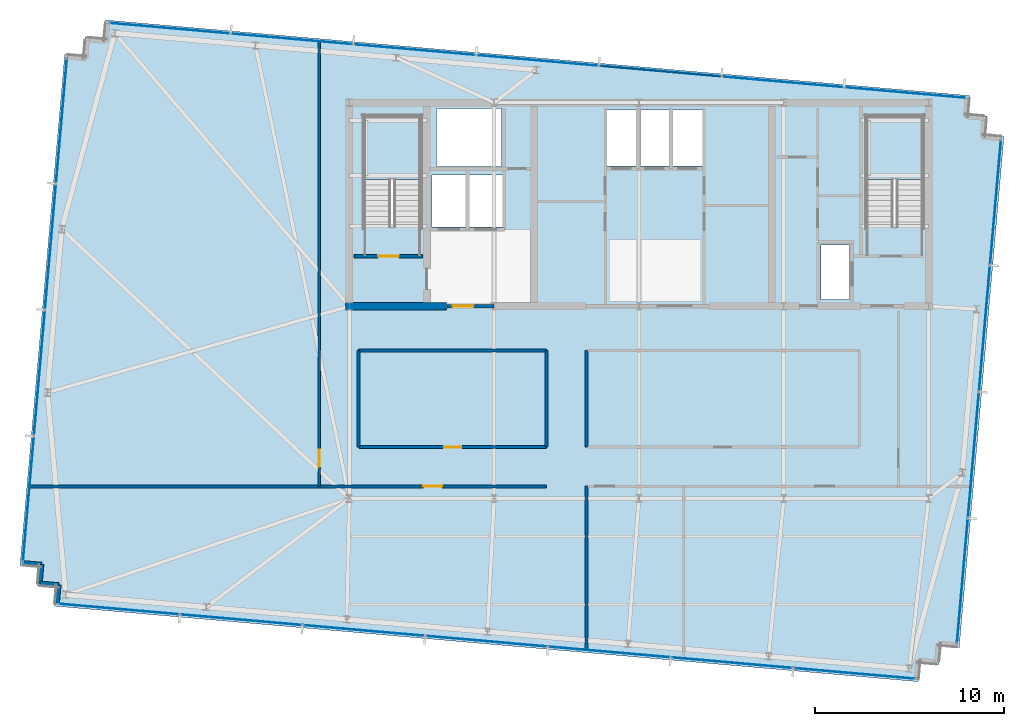
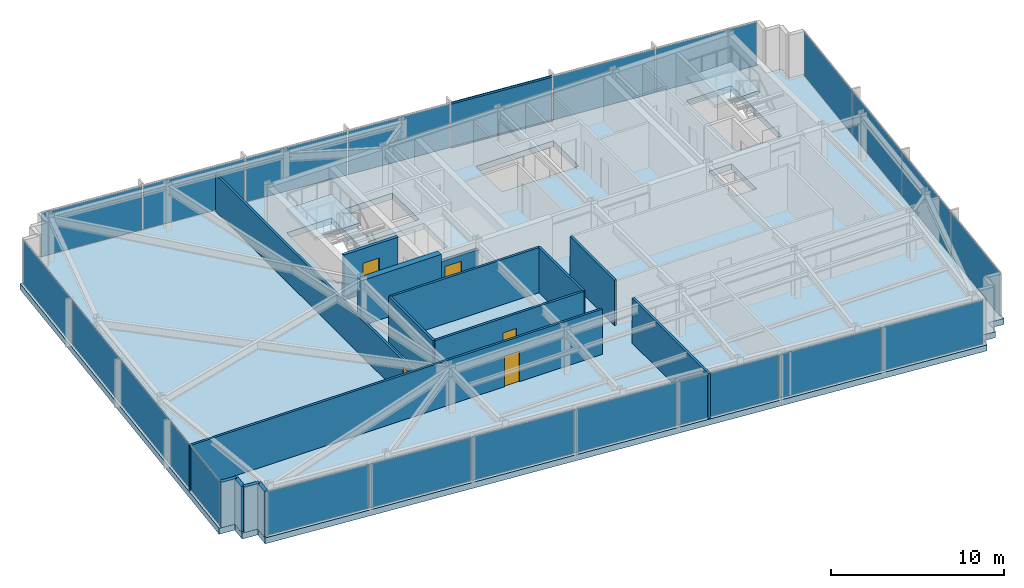
# One storey, part 26 of 32: 22 plates, 15 walls, 5 doors, 3 slabs, 2 members, 5 openings, 6 elements without a shape of their own.
"""IFC4 building model written with IfcOpenShell, lengths in metres."""

from ifc_helpers import new_model, si_unit, direction, frame, frame_2d, origin, origin_2d, place, context, subcontext, project, spatial, polyline, rectangle, hollow_rectangle, outline, extrude, material, layer, layer_set, material_profile, profile_set, type_object, element, fill, aggregate, save


model = new_model("IFC4")

# Units and contexts
model_context = context("Model", 3, precision=1e-05, world=origin(), true_north=direction((0.0, 1.0)))
body_context = subcontext(model_context, "Body", "Model", "MODEL_VIEW")
ifc_project = project(units=[si_unit("LENGTHUNIT", "METRE"), si_unit("AREAUNIT", "SQUARE_METRE"), si_unit("VOLUMEUNIT", "CUBIC_METRE"), si_unit("PLANEANGLEUNIT", "RADIAN"), si_unit("MASSUNIT", "GRAM", prefix="KILO")], contexts=[model_context])

# Site, building, storey
site_placement = place(None, origin())
site = spatial("IfcSite", under=ifc_project, at=site_placement, CompositionType="ELEMENT")
building_placement = place(site_placement, origin())
building = spatial("IfcBuilding", under=site, at=building_placement, Name="Yelkora Congress Tower", CompositionType="ELEMENT")
storey_placement = place(building_placement, frame((0.0, 0.0, 259.10009765625)))
storey = spatial("IfcBuildingStorey", under=building, at=storey_placement, Name="L72", CompositionType="ELEMENT", Elevation=259.10009765625)

# Curtain wall, members
ifc_material_1 = material(Name="Anodised aluminium and insulated glass", Category="aluminium")
curtain_wall_type = type_object("IfcCurtainWallType", Name="CW-SYS-B5", PredefinedType="NOTDEFINED", material=ifc_material_1)
curtain_wall_1_placement = place(storey_placement, origin())
curtain_wall_1 = element("IfcCurtainWall", 1, at=curtain_wall_1_placement, inside=storey, type_object=curtain_wall_type, Name="L72 Unitised Curtain Wall 10", PredefinedType="NOTDEFINED")
ifc_material_2 = material(Name="Anodised aluminium 6063-T6", Category="aluminium")
ifc_material_profile = material_profile(ifc_material_2, hollow_rectangle(XDim=0.06005859375, YDim=0.1298828125, WallThickness=0.00390625, at=origin_2d()), Name="ALU 60x130x4")
ifc_profile_set = profile_set([ifc_material_profile], Name="Anodised aluminium 6063-T6")
member_type = type_object("IfcMemberType", Name="MEM-TR-B5", PredefinedType="USERDEFINED", material=ifc_profile_set)
member_1_placement = place(storey_placement, frame((36.298583984375, 48.14794921875, 0.02978515625), z_axis=(0.996192979814, -0.08717538052, 0.0), x_axis=(0.08717538052, 0.996192979814, 0.0)))
member_1 = element("IfcMember", 2, at=member_1_placement, type_object=member_type, Name="CW-B5 transom 5.1", ObjectType="TRANSOM", PredefinedType="USERDEFINED", context=body_context, shape_type="SweptSolid", body=[
    extrude(hollow_rectangle(XDim=0.06005859375, YDim=0.1298828125, WallThickness=0.00390625, at=origin_2d()), origin(), (0.0, 0.0, 1.0), 6.466552734375),
])
member_2_placement = place(storey_placement, frame((36.298583984375, 48.14794921875, 3.14990234375), z_axis=(0.996192979814, -0.08717538052, 0.0), x_axis=(0.08717538052, 0.996192979814, 0.0)))
member_2 = element("IfcMember", 3, at=member_2_placement, type_object=member_type, Name="CW-B5 transom 5.2", ObjectType="TRANSOM", PredefinedType="USERDEFINED", context=body_context, shape_type="SweptSolid", body=[
    extrude(hollow_rectangle(XDim=0.06005859375, YDim=0.1298828125, WallThickness=0.00390625, at=origin_2d()), origin(), (0.0, 0.0, 1.0), 6.466552734375),
])

# Curtain wall, plates
curtain_wall_2_placement = place(storey_placement, origin())
curtain_wall_2 = element("IfcCurtainWall", 4, at=curtain_wall_2_placement, inside=storey, type_object=curtain_wall_type, Name="L72 Unitised Curtain Wall 5", PredefinedType="NOTDEFINED")
ifc_material_3 = material(Name="High-altitude triple glazed unit B5", Category="glass")
ifc_layer_1 = layer(ifc_material_3, 0.033935546875)
ifc_layer_set_1 = layer_set([ifc_layer_1], Name="High-altitude triple glazed unit B5")
plate_type = type_object("IfcPlateType", Name="PLT-PN-B5", PredefinedType="CURTAIN_PANEL", material=ifc_layer_set_1)
plate_1_placement = place(storey_placement, frame((6.021728515625, 25.16064453125, 0.059814453125), z_axis=(0.0, 0.0, 1.0), x_axis=(0.08715473876, 0.996194785929, 0.0)))
plate_1 = element("IfcPlate", 5, at=plate_1_placement, type_object=plate_type, Name="CW-B5 panel 1.1", PredefinedType="CURTAIN_PANEL", context=body_context, shape_type="SweptSolid", body=[
    extrude(rectangle(XDim=6.632568359375, YDim=0.033935546875, at=origin_2d()), origin(), (0.0, 0.0, 1.0), 3.06005859375),
])
plate_2_placement = place(storey_placement, frame((6.60693359375, 31.848876953125, 0.059814453125), z_axis=(0.0, 0.0, 1.0), x_axis=(0.08715473876, 0.996194785929, 0.0)))
plate_2 = element("IfcPlate", 6, at=plate_2_placement, type_object=plate_type, Name="CW-B5 panel 2.1", PredefinedType="CURTAIN_PANEL", context=body_context, shape_type="SweptSolid", body=[
    extrude(rectangle(XDim=6.6650390625, YDim=0.033935546875, at=origin_2d()), origin(), (0.0, 0.0, 1.0), 3.06005859375),
])
plate_3_placement = place(storey_placement, frame((7.193359375, 38.55322265625, 0.059814453125), z_axis=(0.0, 0.0, 1.0), x_axis=(0.08715473876, 0.996194785929, 0.0)))
plate_3 = element("IfcPlate", 7, at=plate_3_placement, type_object=plate_type, Name="CW-B5 panel 3.1", PredefinedType="CURTAIN_PANEL", context=body_context, shape_type="SweptSolid", body=[
    extrude(rectangle(XDim=6.6650390625, YDim=0.033935546875, at=origin_2d()), origin(), (0.0, 0.0, 1.0), 3.06005859375),
])
plate_4_placement = place(storey_placement, frame((7.778564453125, 45.2412109375, 0.059814453125), z_axis=(0.0, 0.0, 1.0), x_axis=(0.08715473876, 0.996194785929, 0.0)))
plate_4 = element("IfcPlate", 8, at=plate_4_placement, type_object=plate_type, Name="CW-B5 panel 4.1", PredefinedType="CURTAIN_PANEL", context=body_context, shape_type="SweptSolid", body=[
    extrude(rectangle(XDim=6.632568359375, YDim=0.033935546875, at=origin_2d()), origin(), (0.0, 0.0, 1.0), 3.06005859375),
])
aggregate(curtain_wall_2, [plate_1, plate_2, plate_3, plate_4])

# Plate
plate_5_placement = place(storey_placement, frame((13.509521484375, 50.141845703125, 0.059814453125), z_axis=(0.0, 0.0, 1.0), x_axis=(0.996194619601, -0.087156639893, 0.0)))
plate_5 = element("IfcPlate", 9, at=plate_5_placement, type_object=plate_type, Name="CW-B5 panel 1.1", PredefinedType="CURTAIN_PANEL", context=body_context, shape_type="SweptSolid", body=[
    extrude(rectangle(XDim=6.433837890625, YDim=0.033935546875, at=origin_2d()), origin(), (0.0, 0.0, 1.0), 3.06005859375),
])

plate_6_placement = place(storey_placement, frame((19.999755859375, 49.573974609375, 0.059814453125), z_axis=(0.0, 0.0, 1.0), x_axis=(0.996194619601, -0.087156639893, 0.0)))
plate_6 = element("IfcPlate", 10, at=plate_6_placement, type_object=plate_type, Name="CW-B5 panel 2.1", PredefinedType="CURTAIN_PANEL", context=body_context, shape_type="SweptSolid", body=[
    extrude(rectangle(XDim=6.46630859375, YDim=0.033935546875, at=origin_2d()), origin(), (0.0, 0.0, 1.0), 3.06005859375),
])

plate_7_placement = place(storey_placement, frame((26.50634765625, 49.004638671875, 0.059814453125), z_axis=(0.0, 0.0, 1.0), x_axis=(0.996194619601, -0.087156639893, 0.0)))
plate_7 = element("IfcPlate", 11, at=plate_7_placement, type_object=plate_type, Name="CW-B5 panel 3.1", PredefinedType="CURTAIN_PANEL", context=body_context, shape_type="SweptSolid", body=[
    extrude(rectangle(XDim=6.46630859375, YDim=0.033935546875, at=origin_2d()), origin(), (0.0, 0.0, 1.0), 3.06005859375),
])

plate_8_placement = place(storey_placement, frame((33.012939453125, 48.435302734375, 0.059814453125), z_axis=(0.0, 0.0, 1.0), x_axis=(0.996194619601, -0.087156639893, 0.0)))
plate_8 = element("IfcPlate", 12, at=plate_8_placement, type_object=plate_type, Name="CW-B5 panel 4.1", PredefinedType="CURTAIN_PANEL", context=body_context, shape_type="SweptSolid", body=[
    extrude(rectangle(XDim=6.46630859375, YDim=0.033935546875, at=origin_2d()), origin(), (0.0, 0.0, 1.0), 3.06005859375),
])

plate_9_placement = place(storey_placement, frame((39.51953125, 47.8662109375, 0.059814453125), z_axis=(0.0, 0.0, 1.0), x_axis=(0.996194619601, -0.087156639893, 0.0)))
plate_9 = element("IfcPlate", 13, at=plate_9_placement, type_object=plate_type, Name="CW-B5 panel 5.1", PredefinedType="CURTAIN_PANEL", context=body_context, shape_type="SweptSolid", body=[
    extrude(rectangle(XDim=6.46630859375, YDim=0.033935546875, at=origin_2d()), origin(), (0.0, 0.0, 1.0), 3.06005859375),
])

plate_10_placement = place(storey_placement, frame((46.026123046875, 47.296875, 0.059814453125), z_axis=(0.0, 0.0, 1.0), x_axis=(0.996194619601, -0.087156639893, 0.0)))
plate_10 = element("IfcPlate", 14, at=plate_10_placement, type_object=plate_type, Name="CW-B5 panel 6.1", PredefinedType="CURTAIN_PANEL", context=body_context, shape_type="SweptSolid", body=[
    extrude(rectangle(XDim=6.46630859375, YDim=0.033935546875, at=origin_2d()), origin(), (0.0, 0.0, 1.0), 3.06005859375),
])

plate_11_placement = place(storey_placement, frame((52.5166015625, 46.72900390625, 0.059814453125), z_axis=(0.0, 0.0, 1.0), x_axis=(0.996194619601, -0.087156639893, 0.0)))
plate_11 = element("IfcPlate", 15, at=plate_11_placement, type_object=plate_type, Name="CW-B5 panel 7.1", PredefinedType="CURTAIN_PANEL", context=body_context, shape_type="SweptSolid", body=[
    extrude(rectangle(XDim=6.433837890625, YDim=0.033935546875, at=origin_2d()), origin(), (0.0, 0.0, 1.0), 3.06005859375),
])

aggregate(curtain_wall_1, [plate_5, plate_6, plate_7, plate_8, member_1, member_2, plate_9, plate_10, plate_11])

# Curtain wall, plates
curtain_wall_3_placement = place(storey_placement, origin())
curtain_wall_3 = element("IfcCurtainWall", 16, at=curtain_wall_3_placement, inside=storey, type_object=curtain_wall_type, Name="L72 Unitised Curtain Wall 15", PredefinedType="NOTDEFINED")
plate_12_placement = place(storey_placement, frame((57.309326171875, 40.907958984375, 0.059814453125), z_axis=(0.0, 0.0, 1.0), x_axis=(-0.087158425264, -0.996194463398, 0.0)))
plate_12 = element("IfcPlate", 17, at=plate_12_placement, type_object=plate_type, Name="CW-B5 panel 1.1", PredefinedType="CURTAIN_PANEL", context=body_context, shape_type="SweptSolid", body=[
    extrude(rectangle(XDim=6.632568359375, YDim=0.033935546875, at=origin_2d()), origin(), (0.0, 0.0, 1.0), 3.06005859375),
])
plate_13_placement = place(storey_placement, frame((56.72412109375, 34.2197265625, 0.059814453125), z_axis=(0.0, 0.0, 1.0), x_axis=(-0.087158425264, -0.996194463398, 0.0)))
plate_13 = element("IfcPlate", 18, at=plate_13_placement, type_object=plate_type, Name="CW-B5 panel 2.1", PredefinedType="CURTAIN_PANEL", context=body_context, shape_type="SweptSolid", body=[
    extrude(rectangle(XDim=6.6650390625, YDim=0.033935546875, at=origin_2d()), origin(), (0.0, 0.0, 1.0), 3.06005859375),
])
plate_14_placement = place(storey_placement, frame((56.1376953125, 27.515380859375, 0.059814453125), z_axis=(0.0, 0.0, 1.0), x_axis=(-0.087158425264, -0.996194463398, 0.0)))
plate_14 = element("IfcPlate", 19, at=plate_14_placement, type_object=plate_type, Name="CW-B5 panel 3.1", PredefinedType="CURTAIN_PANEL", context=body_context, shape_type="SweptSolid", body=[
    extrude(rectangle(XDim=6.6650390625, YDim=0.033935546875, at=origin_2d()), origin(), (0.0, 0.0, 1.0), 3.06005859375),
])
plate_15_placement = place(storey_placement, frame((55.552490234375, 20.8271484375, 0.059814453125), z_axis=(0.0, 0.0, 1.0), x_axis=(-0.087158425264, -0.996194463398, 0.0)))
plate_15 = element("IfcPlate", 20, at=plate_15_placement, type_object=plate_type, Name="CW-B5 panel 4.1", PredefinedType="CURTAIN_PANEL", context=body_context, shape_type="SweptSolid", body=[
    extrude(rectangle(XDim=6.632568359375, YDim=0.033935546875, at=origin_2d()), origin(), (0.0, 0.0, 1.0), 3.06005859375),
])
aggregate(curtain_wall_3, [plate_12, plate_13, plate_14, plate_15])

curtain_wall_4_placement = place(storey_placement, origin())
curtain_wall_4 = element("IfcCurtainWall", 21, at=curtain_wall_4_placement, inside=storey, type_object=curtain_wall_type, Name="L72 Unitised Curtain Wall 20", PredefinedType="NOTDEFINED")
plate_16_placement = place(storey_placement, frame((49.821533203125, 15.9267578125, 0.059814453125), z_axis=(0.0, 0.0, 1.0), x_axis=(-0.996194602987, 0.087156829793, 0.0)))
plate_16 = element("IfcPlate", 22, at=plate_16_placement, type_object=plate_type, Name="CW-B5 panel 1.1", PredefinedType="CURTAIN_PANEL", context=body_context, shape_type="SweptSolid", body=[
    extrude(rectangle(XDim=6.433837890625, YDim=0.033935546875, at=origin_2d()), origin(), (0.0, 0.0, 1.0), 3.06005859375),
])
plate_17_placement = place(storey_placement, frame((43.331298828125, 16.49462890625, 0.059814453125), z_axis=(0.0, 0.0, 1.0), x_axis=(-0.996194602987, 0.087156829793, 0.0)))
plate_17 = element("IfcPlate", 23, at=plate_17_placement, type_object=plate_type, Name="CW-B5 panel 2.1", PredefinedType="CURTAIN_PANEL", context=body_context, shape_type="SweptSolid", body=[
    extrude(rectangle(XDim=6.46630859375, YDim=0.033935546875, at=origin_2d()), origin(), (0.0, 0.0, 1.0), 3.06005859375),
])
plate_18_placement = place(storey_placement, frame((36.82470703125, 17.06396484375, 0.059814453125), z_axis=(0.0, 0.0, 1.0), x_axis=(-0.996194602987, 0.087156829793, 0.0)))
plate_18 = element("IfcPlate", 24, at=plate_18_placement, type_object=plate_type, Name="CW-B5 panel 3.1", PredefinedType="CURTAIN_PANEL", context=body_context, shape_type="SweptSolid", body=[
    extrude(rectangle(XDim=6.46630859375, YDim=0.033935546875, at=origin_2d()), origin(), (0.0, 0.0, 1.0), 3.06005859375),
])
plate_19_placement = place(storey_placement, frame((30.318115234375, 17.633056640625, 0.059814453125), z_axis=(0.0, 0.0, 1.0), x_axis=(-0.996194602987, 0.087156829793, 0.0)))
plate_19 = element("IfcPlate", 25, at=plate_19_placement, type_object=plate_type, Name="CW-B5 panel 4.1", PredefinedType="CURTAIN_PANEL", context=body_context, shape_type="SweptSolid", body=[
    extrude(rectangle(XDim=6.46630859375, YDim=0.033935546875, at=origin_2d()), origin(), (0.0, 0.0, 1.0), 3.06005859375),
])
plate_20_placement = place(storey_placement, frame((23.8115234375, 18.202392578125, 0.059814453125), z_axis=(0.0, 0.0, 1.0), x_axis=(-0.996194602987, 0.087156829793, 0.0)))
plate_20 = element("IfcPlate", 26, at=plate_20_placement, type_object=plate_type, Name="CW-B5 panel 5.1", PredefinedType="CURTAIN_PANEL", context=body_context, shape_type="SweptSolid", body=[
    extrude(rectangle(XDim=6.46630859375, YDim=0.033935546875, at=origin_2d()), origin(), (0.0, 0.0, 1.0), 3.06005859375),
])
plate_21_placement = place(storey_placement, frame((17.304931640625, 18.771728515625, 0.059814453125), z_axis=(0.0, 0.0, 1.0), x_axis=(-0.996194602987, 0.087156829793, 0.0)))
plate_21 = element("IfcPlate", 27, at=plate_21_placement, type_object=plate_type, Name="CW-B5 panel 6.1", PredefinedType="CURTAIN_PANEL", context=body_context, shape_type="SweptSolid", body=[
    extrude(rectangle(XDim=6.46630859375, YDim=0.033935546875, at=origin_2d()), origin(), (0.0, 0.0, 1.0), 3.06005859375),
])
plate_22_placement = place(storey_placement, frame((10.814697265625, 19.33935546875, 0.059814453125), z_axis=(0.0, 0.0, 1.0), x_axis=(-0.996194602987, 0.087156829793, 0.0)))
plate_22 = element("IfcPlate", 28, at=plate_22_placement, type_object=plate_type, Name="CW-B5 panel 7.1", PredefinedType="CURTAIN_PANEL", context=body_context, shape_type="SweptSolid", body=[
    extrude(rectangle(XDim=6.433837890625, YDim=0.033935546875, at=origin_2d()), origin(), (0.0, 0.0, 1.0), 3.06005859375),
])
aggregate(curtain_wall_4, [plate_16, plate_17, plate_18, plate_19, plate_20, plate_21, plate_22])

# Stair, slab
ifc_material_4 = material(Name="Concrete C40/50", Category="concrete")
stair_type = type_object("IfcStairType", Name="STAIR-HT-1420-R20-170", PredefinedType="HALF_TURN_STAIR", material=ifc_material_4)
stair_1_placement = place(storey_placement, origin())
stair_1 = element("IfcStair", 29, at=stair_1_placement, inside=storey, type_object=stair_type, Name="West Core Protected Exit Stair ST-01 (L72)", PredefinedType="HALF_TURN_STAIR")
ifc_layer_2 = layer(ifc_material_4, 0.219970703125)
ifc_layer_set_2 = layer_set([ifc_layer_2], Name="Concrete C40/50")
slab_type_1 = type_object("IfcSlabType", Name="SLAB-LANDING-220", PredefinedType="LANDING", material=ifc_layer_set_2)
slab_1_placement = place(storey_placement, frame((0.0, 0.0, 1.47998046875)))
slab_1 = element("IfcSlab", 30, at=slab_1_placement, type_object=slab_type_1, Name="ST-01 L72 Half Landing 1", PredefinedType="LANDING", context=body_context, shape_type="SweptSolid", body=[
    extrude(outline(polyline([(26.820068359375, 42.1201171875), (26.820068359375, 45.469970703125), (23.820068359375, 45.469970703125), (23.820068359375, 42.1201171875), (26.820068359375, 42.1201171875)])), origin(), (0.0, 0.0, 1.0), 0.219970703125),
])
aggregate(stair_1, [slab_1])

stair_2_placement = place(storey_placement, origin())
stair_2 = element("IfcStair", 31, at=stair_2_placement, inside=storey, type_object=stair_type, Name="East Core Protected Exit Stair ST-02 (L72)", PredefinedType="HALF_TURN_STAIR")
slab_2_placement = place(storey_placement, frame((0.0, 0.0, 1.47998046875)))
slab_2 = element("IfcSlab", 32, at=slab_2_placement, type_object=slab_type_1, Name="ST-02 L72 Half Landing 1", PredefinedType="LANDING", context=body_context, shape_type="SweptSolid", body=[
    extrude(outline(polyline([(53.4599609375, 42.1201171875), (53.4599609375, 45.469970703125), (50.4599609375, 45.469970703125), (50.4599609375, 42.1201171875), (53.4599609375, 42.1201171875)])), origin(), (0.0, 0.0, 1.0), 0.219970703125),
])
aggregate(stair_2, [slab_2])

# Slab
ifc_material_5 = material(Name="Concrete C60/75", Category="concrete")
ifc_layer_3 = layer(ifc_material_5, 0.419921875)
ifc_layer_set_3 = layer_set([ifc_layer_3], Name="Concrete C60/75")
slab_type_2 = type_object("IfcSlabType", Name="SLAB-XFER-420", PredefinedType="FLOOR", material=ifc_layer_set_3)
slab_3_placement = place(storey_placement, frame((0.0, 0.0, -0.420166015625)))
element("IfcSlab", 33, at=slab_3_placement, inside=storey, type_object=slab_type_2, Name="L72 Structural Floor Slab", PredefinedType="FLOOR", context=body_context, shape_type="SweptSolid", body=[
    extrude(outline(polyline([(7.3935546875, 19.498291015625), (53.218505859375, 15.489013671875), (53.3056640625, 16.485107421875), (54.3017578125, 16.398193359375), (54.388916015625, 17.394287109375), (55.385009765625, 17.30712890625), (57.755859375, 44.403564453125), (56.759521484375, 44.49072265625), (56.8466796875, 45.487060546875), (55.8505859375, 45.57421875), (55.937744140625, 46.5703125), (10.11279296875, 50.57958984375), (10.025634765625, 49.583251953125), (9.029296875, 49.67041015625), (8.942138671875, 48.67431640625), (7.946044921875, 48.761474609375), (5.575439453125, 21.664794921875), (6.571533203125, 21.57763671875), (6.484619140625, 20.58154296875), (7.480712890625, 20.494384765625), (7.3935546875, 19.498291015625)]), holes=[polyline([(23.820068359375, 39.6298828125), (26.820068359375, 39.6298828125), (26.820068359375, 45.469970703125), (23.820068359375, 45.469970703125), (23.820068359375, 39.6298828125)]), polyline([(50.4599609375, 39.6298828125), (53.4599609375, 39.6298828125), (53.4599609375, 45.469970703125), (50.4599609375, 45.469970703125), (50.4599609375, 39.6298828125)]), polyline([(48.050048828125, 35.75), (49.550048828125, 35.75), (49.550048828125, 38.64990234375), (48.050048828125, 38.64990234375), (48.050048828125, 35.75)]), polyline([(36.64990234375, 42.85009765625), (41.800048828125, 42.85009765625), (41.800048828125, 45.800048828125), (36.64990234375, 45.800048828125), (36.64990234375, 42.85009765625)]), polyline([(27.419921875, 39.60009765625), (31.179931640625, 39.60009765625), (31.179931640625, 42.35009765625), (27.419921875, 42.35009765625), (27.419921875, 39.60009765625)]), polyline([(27.64990234375, 42.820068359375), (31.1201171875, 42.820068359375), (31.1201171875, 45.8798828125), (27.64990234375, 45.8798828125), (27.64990234375, 42.820068359375)])]), origin(), (0.0, 0.0, 1.0), 0.420166015625),
])

# Walls
ifc_material_6 = material(Name="Concrete C50/60", Category="concrete")
ifc_layer_4 = layer(ifc_material_6, 0.39990234375)
ifc_layer_set_4 = layer_set([ifc_layer_4], Name="Concrete C50/60")
wall_type_1 = type_object("IfcWallType", Name="WALL-CORE-INT-400", PredefinedType="SHEAR", material=ifc_layer_set_4)
wall_1_placement = place(storey_placement, frame((22.840087890625, 35.39990234375, 0.0), z_axis=(0.0, 0.0, 1.0), x_axis=(1.0, 0.0, 0.0)))
element("IfcWall", 34, at=wall_1_placement, inside=storey, type_object=wall_type_1, Name="L72 Rear Core South-West Shear Wall", PredefinedType="SHEAR", context=body_context, shape_type="SweptSolid", body=[
    extrude(rectangle(XDim=5.35986328125, YDim=0.39990234375, at=frame_2d((2.679931640625, 0.0))), origin(), (0.0, 0.0, 1.0), 3.179931640625),
])
ifc_layer_5 = layer(ifc_material_4, 0.239990234375)
ifc_layer_set_5 = layer_set([ifc_layer_5], Name="Concrete C40/50")
wall_type_2 = type_object("IfcWallType", Name="WALL-EXT-LIMESTONE-240", PredefinedType="SOLIDWALL", material=ifc_layer_set_5)
for number, where, z_axis, x_axis, name in (
    (35, (7.545166015625, 19.62548828125, 0.0), (0.0, 0.0, 1.0), (0.087166950281, 0.996193717496, 0.0), "L72 Serrated Corner Limestone Pier 1"),
    (36, (7.63232421875, 20.62158203125, 0.0), (0.0, 0.0, 1.0), (-0.996193717496, 0.087166950281, 0.0), "L72 Serrated Corner Limestone Pier 2"),
):
    element("IfcWall", number, at=place(storey_placement, frame(where, z_axis=z_axis, x_axis=x_axis)), inside=storey, type_object=wall_type_2, Name=name, PredefinedType="SOLIDWALL", context=body_context, shape_type="SweptSolid", body=[
        extrude(rectangle(XDim=1.0, YDim=0.239990234375, at=frame_2d((0.5, 0.0))), origin(), (0.0, 0.0, 1.0), 3.179931640625),
    ])
for number, where, z_axis, x_axis, name in (
    (37, (6.63623046875, 20.708740234375, 0.0), (0.0, 0.0, 1.0), (0.087145753297, 0.996195572005, 0.0), "L72 Serrated Corner Limestone Pier 3"),
    (38, (6.723388671875, 21.705078125, 0.0), (0.0, 0.0, 1.0), (-0.996195572005, 0.087145753297, 0.0), "L72 Serrated Corner Limestone Pier 4"),
):
    element("IfcWall", number, at=place(storey_placement, frame(where, z_axis=z_axis, x_axis=x_axis)), inside=storey, type_object=wall_type_2, Name=name, PredefinedType="SOLIDWALL", context=body_context, shape_type="SweptSolid", body=[
        extrude(rectangle(XDim=1.000244140625, YDim=0.239990234375, at=frame_2d((0.5, 0.0))), origin(), (0.0, 0.0, 1.0), 3.179931640625),
    ])
ifc_material_7 = material(Name="Acoustic metal-stud gypsum partition", Category="gypsum")
ifc_layer_6 = layer(ifc_material_7, 0.14990234375)
ifc_layer_set_6 = layer_set([ifc_layer_6], Name="Acoustic metal-stud gypsum partition")
wall_type_3 = type_object("IfcWallType", Name="WALL-INT-150-NR", PredefinedType="PARTITIONING", material=ifc_layer_set_6)
wall_2_placement = place(storey_placement, frame((35.6201171875, 17.10888671875, 0.0), z_axis=(0.0, 0.0, 1.0), x_axis=(0.0, 1.0, 0.0)))
element("IfcWall", 39, at=wall_2_placement, inside=storey, type_object=wall_type_3, Name="L72 Partition Wall 23", PredefinedType="PARTITIONING", context=body_context, shape_type="SweptSolid", body=[
    extrude(rectangle(XDim=8.76123046875, YDim=0.14990234375, at=frame_2d((4.380615234375, 0.0))), origin(), (0.0, 0.0, 1.0), 3.179931640625),
])

# Wall, opening, door
wall_3_placement = place(storey_placement, frame((6.021728515625, 25.85009765625, 0.0), z_axis=(0.0, 0.0, 1.0), x_axis=(1.0, 0.0, 0.0)))
wall_3 = element("IfcWall", 40, at=wall_3_placement, inside=storey, type_object=wall_type_3, Name="L72 South Spine Wall West", PredefinedType="PARTITIONING", context=body_context, shape_type="SweptSolid", body=[
    extrude(rectangle(XDim=27.478271484375, YDim=0.14990234375, at=frame_2d((13.7392578125, 0.0))), origin(), (0.0, 0.0, 1.0), 3.179931640625),
])
opening_1_placement = place(wall_3_placement, frame((20.943115234375, 0.0, 0.0)))
opening_1 = element("IfcOpeningElement", 41, at=opening_1_placement, cuts=wall_3, Name="Opening DR-100N", PredefinedType="OPENING", context=body_context, shape_type="SweptSolid", body=[
    extrude(rectangle(XDim=1.0, YDim=2.14990234375, at=frame_2d((0.5, 1.074951171875))), frame((0.0, 0.0849609375, 0.0), z_axis=(0.0, -1.0, 0.0), x_axis=(1.0, 0.0, 0.0)), (0.0, 0.0, 1.0), 0.169921875),
])
ifc_material_8 = material(Name="Solid-core Anatolian oak veneer door", Category="wood")
door_type_1 = type_object("IfcDoorType", Name="DOOR-INT-1000", OperationType="NOTDEFINED", PredefinedType="DOOR", material=ifc_material_8)
door_1_placement = place(opening_1_placement, origin())
door_1 = element("IfcDoor", 42, at=door_1_placement, inside=storey, type_object=door_type_1, Name="L72 Committee Meeting Room Door", OperationType="SINGLE_SWING_RIGHT", OverallHeight=2.14990234375, OverallWidth=1.0, PredefinedType="DOOR", context=body_context, shape_type="SweptSolid", body=[
    extrude(rectangle(XDim=1.0, YDim=2.14990234375, at=frame_2d((0.5, 1.074951171875))), frame((0.0, 0.02490234375, 0.0), z_axis=(0.0, -1.0, 0.0), x_axis=(1.0, 0.0, 0.0)), (0.0, 0.0, 1.0), 0.050048828125),
])
fill(opening_1, door_1)

wall_4_placement = place(storey_placement, frame((21.43994140625, 25.85009765625, 0.0), z_axis=(0.0, 0.0, 1.0), x_axis=(0.0, 1.0, 0.0)))
wall_4 = element("IfcWall", 43, at=wall_4_placement, inside=storey, type_object=wall_type_3, Name="L72 Partition Wall 27", PredefinedType="PARTITIONING", context=body_context, shape_type="SweptSolid", body=[
    extrude(rectangle(XDim=23.658203125, YDim=0.14990234375, at=frame_2d((11.8291015625, 0.0))), origin(), (0.0, 0.0, 1.0), 2.574951171875),
])
opening_2_placement = place(wall_4_placement, frame((1.030029296875, 0.0, 0.0)))
opening_2 = element("IfcOpeningElement", 44, at=opening_2_placement, cuts=wall_4, Name="Opening DR-090N", PredefinedType="OPENING", context=body_context, shape_type="SweptSolid", body=[
    extrude(rectangle(XDim=0.89990234375, YDim=2.14990234375, at=frame_2d((0.449951171875, 1.074951171875))), frame((0.0, 0.0849609375, 0.0), z_axis=(0.0, -1.0, 0.0), x_axis=(1.0, 0.0, 0.0)), (0.0, 0.0, 1.0), 0.169921875),
])
ifc_material_9 = material(Name="Moisture-resistant laminate door leaf", Category="wood")
door_type_2 = type_object("IfcDoorType", Name="DOOR-INT-900", OperationType="NOTDEFINED", PredefinedType="DOOR", material=ifc_material_9)
door_2_placement = place(opening_2_placement, origin())
door_2 = element("IfcDoor", 45, at=door_2_placement, inside=storey, type_object=door_type_2, Name="L72 W Wing Door", OperationType="SINGLE_SWING_LEFT", OverallHeight=2.14990234375, OverallWidth=0.89990234375, PredefinedType="DOOR", context=body_context, shape_type="SweptSolid", body=[
    extrude(rectangle(XDim=0.89990234375, YDim=2.14990234375, at=frame_2d((0.449951171875, 1.074951171875))), frame((0.0, 0.02490234375, 0.0), z_axis=(0.0, -1.0, 0.0), x_axis=(1.0, 0.0, 0.0)), (0.0, 0.0, 1.0), 0.050048828125),
])
fill(opening_2, door_2)

# Walls
for number, where, z_axis, x_axis, name in (
    (46, (23.52001953125, 27.929931640625, 0.0), (0.0, 0.0, 1.0), (0.0, 1.0, 0.0), "L72 Partition Wall 29"),
    (47, (33.5, 27.929931640625, 0.0), (0.0, 0.0, 1.0), (0.0, 1.0, 0.0), "L72 Partition Wall 31"),
    (48, (35.6201171875, 27.929931640625, 0.0), (0.0, 0.0, 1.0), (0.0, 1.0, 0.0), "L72 Partition Wall 32"),
):
    element("IfcWall", number, at=place(storey_placement, frame(where, z_axis=z_axis, x_axis=x_axis)), inside=storey, type_object=wall_type_3, Name=name, PredefinedType="PARTITIONING", context=body_context, shape_type="SweptSolid", body=[
        extrude(rectangle(XDim=5.1201171875, YDim=0.14990234375, at=frame_2d((2.56005859375, 0.0))), origin(), (0.0, 0.0, 1.0), 3.179931640625),
    ])
wall_5_placement = place(storey_placement, frame((23.52001953125, 33.050048828125, 0.0), z_axis=(0.0, 0.0, 1.0), x_axis=(1.0, 0.0, 0.0)))
element("IfcWall", 49, at=wall_5_placement, inside=storey, type_object=wall_type_3, Name="L72 Partition Wall 33", PredefinedType="PARTITIONING", context=body_context, shape_type="SweptSolid", body=[
    extrude(rectangle(XDim=9.97998046875, YDim=0.14990234375, at=frame_2d((4.989990234375, 0.0))), origin(), (0.0, 0.0, 1.0), 3.179931640625),
])

# Wall, opening, door
wall_6_placement = place(storey_placement, frame((23.5400390625, 27.929931640625, 0.0), z_axis=(0.0, 0.0, 1.0), x_axis=(1.0, 0.0, 0.0)))
wall_6 = element("IfcWall", 50, at=wall_6_placement, inside=storey, type_object=wall_type_3, Name="L72 Partition Wall 35", PredefinedType="PARTITIONING", context=body_context, shape_type="SweptSolid", body=[
    extrude(rectangle(XDim=9.949951171875, YDim=0.14990234375, at=frame_2d((4.97509765625, 0.0))), origin(), (0.0, 0.0, 1.0), 3.179931640625),
])
opening_3_placement = place(wall_6_placement, frame((4.52490234375, 0.0, 0.0)))
opening_3 = element("IfcOpeningElement", 51, at=opening_3_placement, cuts=wall_6, Name="Opening DR-090N", PredefinedType="OPENING", context=body_context, shape_type="SweptSolid", body=[
    extrude(rectangle(XDim=0.89990234375, YDim=2.14990234375, at=frame_2d((0.449951171875, 1.074951171875))), frame((0.0, 0.0849609375, 0.0), z_axis=(0.0, -1.0, 0.0), x_axis=(1.0, 0.0, 0.0)), (0.0, 0.0, 1.0), 0.169921875),
])
door_3_placement = place(opening_3_placement, origin())
door_3 = element("IfcDoor", 52, at=door_3_placement, inside=storey, type_object=door_type_2, Name="L72 Catering Servery Kitchen Door", OperationType="SINGLE_SWING_LEFT", OverallHeight=2.14990234375, OverallWidth=0.89990234375, PredefinedType="DOOR", context=body_context, shape_type="SweptSolid", body=[
    extrude(rectangle(XDim=0.89990234375, YDim=2.14990234375, at=frame_2d((0.449951171875, 1.074951171875))), frame((0.0, 0.02490234375, 0.0), z_axis=(0.0, -1.0, 0.0), x_axis=(1.0, 0.0, 0.0)), (0.0, 0.0, 1.0), 0.050048828125),
])
fill(opening_3, door_3)

ifc_material_10 = material(Name="Autoclaved aerated concrete blockwork", Category="masonry")
ifc_layer_7 = layer(ifc_material_10, 0.199951171875)
ifc_layer_set_7 = layer_set([ifc_layer_7], Name="Autoclaved aerated concrete blockwork")
wall_type_4 = type_object("IfcWallType", Name="WALL-INT-200-R120", PredefinedType="PARTITIONING", material=ifc_layer_set_7)
wall_7_placement = place(storey_placement, frame((23.300048828125, 38.050048828125, 0.0), z_axis=(0.0, 0.0, 1.0), x_axis=(1.0, 0.0, 0.0)))
wall_7 = element("IfcWall", 53, at=wall_7_placement, inside=storey, type_object=wall_type_4, Name="L72 Stair ST-01 Enclosure Wall", PredefinedType="PARTITIONING", context=body_context, shape_type="SweptSolid", body=[
    extrude(rectangle(XDim=3.619873046875, YDim=0.199951171875, at=frame_2d((1.81005859375, 0.0))), origin(), (0.0, 0.0, 1.0), 3.179931640625),
])
opening_4_placement = place(wall_7_placement, frame((1.260009765625, 0.0, 0.0)))
opening_4 = element("IfcOpeningElement", 54, at=opening_4_placement, cuts=wall_7, Name="Opening DR-110F9", PredefinedType="OPENING", context=body_context, shape_type="SweptSolid", body=[
    extrude(rectangle(XDim=1.10009765625, YDim=2.14990234375, at=frame_2d((0.550048828125, 1.074951171875))), frame((0.0, 0.10986328125, 0.0), z_axis=(0.0, -1.0, 0.0), x_axis=(1.0, 0.0, 0.0)), (0.0, 0.0, 1.0), 0.219970703125),
])
ifc_material_11 = material(Name="Galvanised steel fire door leaf", Category="steel")
door_type_3 = type_object("IfcDoorType", Name="DOOR-FD90-1100", OperationType="NOTDEFINED", PredefinedType="DOOR", material=ifc_material_11)
door_4_placement = place(opening_4_placement, origin())
door_4 = element("IfcDoor", 55, at=door_4_placement, inside=storey, type_object=door_type_3, Name="L72 Stair ST-01 Entry Door", OperationType="SINGLE_SWING_LEFT", OverallHeight=2.14990234375, OverallWidth=1.10009765625, PredefinedType="DOOR", context=body_context, shape_type="SweptSolid", body=[
    extrude(rectangle(XDim=1.10009765625, YDim=2.14990234375, at=frame_2d((0.550048828125, 1.074951171875))), frame((0.0, 0.02490234375, 0.0), z_axis=(0.0, -1.0, 0.0), x_axis=(1.0, 0.0, 0.0)), (0.0, 0.0, 1.0), 0.050048828125),
])
fill(opening_4, door_4)

wall_8_placement = place(storey_placement, frame((28.219970703125, 35.39990234375, 0.0), z_axis=(0.0, 0.0, 1.0), x_axis=(1.0, 0.0, 0.0)))
wall_8 = element("IfcWall", 56, at=wall_8_placement, inside=storey, type_object=wall_type_4, Name="L72 Firefighting Lobby South Wall", PredefinedType="PARTITIONING", context=body_context, shape_type="SweptSolid", body=[
    extrude(rectangle(XDim=2.5, YDim=0.199951171875, at=frame_2d((1.25, 0.0))), origin(), (0.0, 0.0, 1.0), 2.574951171875),
])
opening_5_placement = place(wall_8_placement, frame((0.300048828125, 0.0, 0.0)))
opening_5 = element("IfcOpeningElement", 57, at=opening_5_placement, cuts=wall_8, Name="Opening DR-110F9", PredefinedType="OPENING", context=body_context, shape_type="SweptSolid", body=[
    extrude(rectangle(XDim=1.10009765625, YDim=2.14990234375, at=frame_2d((0.550048828125, 1.074951171875))), frame((0.0, 0.10986328125, 0.0), z_axis=(0.0, -1.0, 0.0), x_axis=(1.0, 0.0, 0.0)), (0.0, 0.0, 1.0), 0.219970703125),
])
door_5_placement = place(opening_5_placement, origin())
door_5 = element("IfcDoor", 58, at=door_5_placement, inside=storey, type_object=door_type_3, Name="L72 Firefighting Lobby Corridor Door", OperationType="SINGLE_SWING_RIGHT", OverallHeight=2.14990234375, OverallWidth=1.10009765625, PredefinedType="DOOR", context=body_context, shape_type="SweptSolid", body=[
    extrude(rectangle(XDim=1.10009765625, YDim=2.14990234375, at=frame_2d((0.550048828125, 1.074951171875))), frame((0.0, 0.02490234375, 0.0), z_axis=(0.0, -1.0, 0.0), x_axis=(1.0, 0.0, 0.0)), (0.0, 0.0, 1.0), 0.050048828125),
])
fill(opening_5, door_5)

save(model, "model.ifc")
